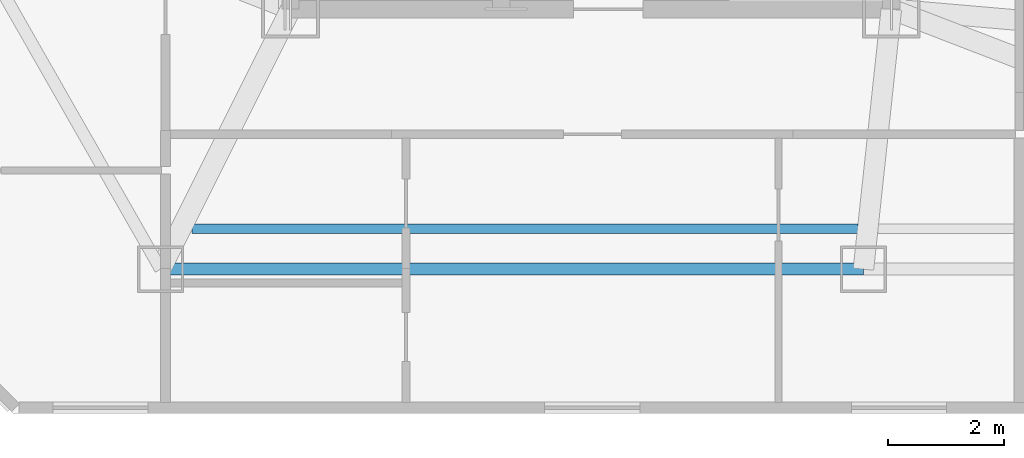
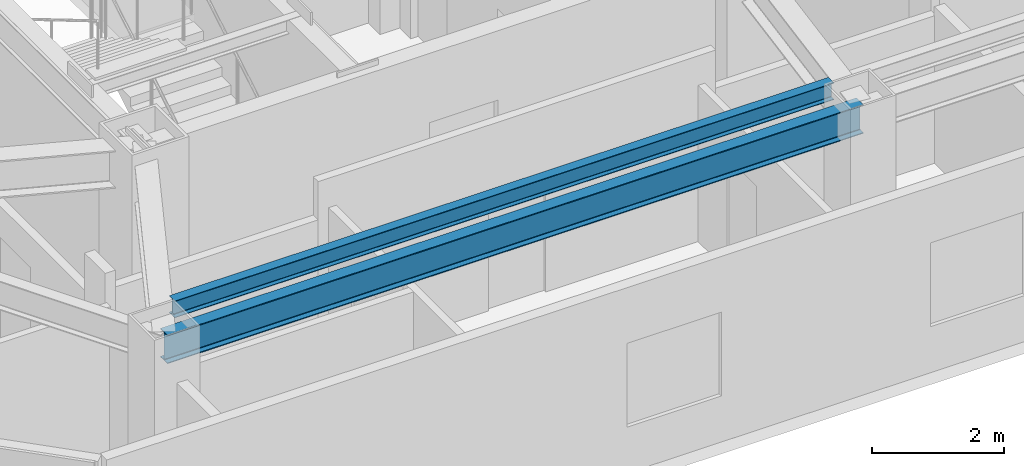
# One storey, part 3 of 14: 2 beams.
"""IFC4 building model written with IfcOpenShell, lengths in metres."""

import ifcopenshell
import ifcopenshell.guid

model = None  # the IFC model being written
_history = None  # IfcOwnerHistory: only IFC2X3 demands one
_inside = {}  # id of a spatial element -> (the spatial element, [elements in it])
_under = {}  # id of a project, library or spatial element -> (it, [spatial elements below it])
_declared = {}  # id of a project -> (the project, [libraries it declares])
_typed = {}  # id of a type object -> (the type object, [elements of that type])
_made_of = {}  # id of a material, layer set ... -> (it, [elements and type objects made of it])


def new_model(schema):
    """Start an empty IFC model of exactly this schema.

    Asked for "IFC4X3", IfcOpenShell would pick the latest addendum, in which some entities
    have other attributes; the version numbers below select the first issue.
    IFC2X3 requires an IfcOwnerHistory on every rooted entity: one is made here for all.
    """
    global model, _history
    if schema == "IFC4X3":
        model = ifcopenshell.file(schema_version=(4, 3, 0, 0))
    else:
        model = ifcopenshell.file(schema=schema)
    _inside.clear()
    _under.clear()
    _declared.clear()
    _typed.clear()
    _made_of.clear()
    _history = None
    if model.schema == "IFC2X3":
        org = make("IfcOrganization", Name="unknown")
        user = make(
            "IfcPersonAndOrganization",
            ThePerson=make("IfcPerson", FamilyName="unknown"),
            TheOrganization=org,
        )
        app = make(
            "IfcApplication",
            ApplicationDeveloper=org,
            Version="unknown",
            ApplicationFullName="unknown",
            ApplicationIdentifier="unknown",
        )
        _history = make(
            "IfcOwnerHistory",
            OwningUser=user,
            OwningApplication=app,
            ChangeAction="ADDED",
            CreationDate=0,
        )
    return model


def make(cls, **values):
    """One entity of the class cls with the attributes given. An attribute that is None is left unset."""
    return model.create_entity(
        cls, **{name: value for name, value in values.items() if value is not None}
    )


def rooted(cls, **values):
    """An entity with a GlobalId (a new one), such as an element, a storey or a relation."""
    return make(cls, GlobalId=ifcopenshell.guid.new(), OwnerHistory=_history, **values)


def si_unit(unit_type, name, prefix=None):
    """IfcSIUnit, for example si_unit("LENGTHUNIT", "METRE", prefix="MILLI")."""
    return make("IfcSIUnit", UnitType=unit_type, Prefix=prefix, Name=name)


def assignment(units):
    """IfcUnitAssignment: the units of a project."""
    return None if units is None else make("IfcUnitAssignment", Units=units)


def point(xyz):
    """IfcCartesianPoint."""
    return None if xyz is None else make("IfcCartesianPoint", Coordinates=xyz)


def direction(xyz):
    """IfcDirection."""
    return None if xyz is None else make("IfcDirection", DirectionRatios=xyz)


def frame(location, z_axis=None, x_axis=None):
    """IfcAxis2Placement3D, a coordinate frame: its origin and axes. An axis left out is left unset."""
    return make(
        "IfcAxis2Placement3D",
        Location=point(location),
        Axis=direction(z_axis),
        RefDirection=direction(x_axis),
    )


def frame_2d(location, x_axis=None):
    """IfcAxis2Placement2D, a coordinate frame in the plane: its origin and x axis."""
    return make(
        "IfcAxis2Placement2D", Location=point(location), RefDirection=direction(x_axis)
    )


def origin():
    """The frame at (0, 0, 0) with its axes left unset."""
    return frame((0.0, 0.0, 0.0))


def origin_2d():
    """The frame at (0, 0) in the plane with its x axis left unset."""
    return frame_2d((0.0, 0.0))


def place(relative_to, where):
    """IfcLocalPlacement: puts the frame where relative to a parent placement (None: the world)."""
    return make(
        "IfcLocalPlacement", PlacementRelTo=relative_to, RelativePlacement=where
    )


def context(
    kind, dimensions, precision=None, world=None, true_north=None, identifier=None
):
    """IfcGeometricRepresentationContext, for example the 3D "Model" context."""
    return make(
        "IfcGeometricRepresentationContext",
        ContextIdentifier=identifier,
        ContextType=kind,
        CoordinateSpaceDimension=dimensions,
        Precision=precision,
        WorldCoordinateSystem=world,
        TrueNorth=true_north,
    )


def subcontext(parent, identifier, kind, view, scale=None):
    """IfcGeometricRepresentationSubContext, for example "Body" below "Model"."""
    return make(
        "IfcGeometricRepresentationSubContext",
        ContextIdentifier=identifier,
        ContextType=kind,
        ParentContext=parent,
        TargetScale=scale,
        TargetView=view,
    )


def project(units=None, contexts=None):
    """IfcProject with its units and contexts."""
    return rooted(
        "IfcProject",
        Name="project",
        RepresentationContexts=contexts,
        UnitsInContext=assignment(units),
    )


def spatial(cls, under=None, at=None, **own):
    """A site, building, storey or space (cls), placed at a placement, below another one or the project."""
    s = rooted(cls, ObjectPlacement=at, **own)
    if under is not None:
        _under.setdefault(under.id(), (under, []))[1].append(s)
    return s


def profile(cls, at=None, kind="AREA", **sizes):
    """A parametric profile (cls). Its sizes go by their IFC names, for example OverallWidth=200.0."""
    return make(cls, ProfileType=kind, Position=at, **sizes)


def i_section(**sizes):
    """IfcIShapeProfileDef."""
    return profile("IfcIShapeProfileDef", **sizes)


def extrude(swept, where, along, depth):
    """IfcExtrudedAreaSolid: the profile swept, set in the frame where, extruded along a direction by depth."""
    return make(
        "IfcExtrudedAreaSolid",
        SweptArea=swept,
        Position=where,
        ExtrudedDirection=direction(along),
        Depth=depth,
    )


def shape(context_of_items, identifier, shape_type, items):
    """IfcShapeRepresentation: the items that make up one representation, for example the "Body"."""
    return make(
        "IfcShapeRepresentation",
        ContextOfItems=context_of_items,
        RepresentationIdentifier=identifier,
        RepresentationType=shape_type,
        Items=items,
    )


def material(Name=None, Category=None):
    """IfcMaterial."""
    return make("IfcMaterial", Name=Name, Category=Category)


def material_profile(
    of_material, cross_section, Name=None, Category=None, Priority=None
):
    """IfcMaterialProfile: a cross section and its material."""
    return make(
        "IfcMaterialProfile",
        Name=Name,
        Material=of_material,
        Profile=cross_section,
        Priority=Priority,
        Category=Category,
    )


def profile_set(profiles, Name=None, composite=None):
    """IfcMaterialProfileSet."""
    return make(
        "IfcMaterialProfileSet",
        Name=Name,
        MaterialProfiles=profiles,
        CompositeProfile=composite,
    )


def made_of(thing, what):
    """Note that an element or type object is made of a material, layer set ...; save() writes the relation."""
    if what is not None:
        _made_of.setdefault(what.id(), (what, []))[1].append(thing)
    return thing


def type_object(cls, material=None, **own):
    """A type object (cls), such as IfcWallType, which elements share."""
    return made_of(rooted(cls, **own), material)


def element(
    cls,
    number,
    at=None,
    inside=None,
    cuts=None,
    type_object=None,
    material=None,
    context=None,
    identifier="Body",
    shape_type=None,
    held_by="IfcProductDefinitionShape",
    body=None,
    shapes=None,
    **own,
):
    """One element of the class cls, such as IfcWall. Its Tag is "e" and its number.

    at: its placement. inside: the storey or other place that contains it. cuts: it is an
    opening in that element (IfcRelVoidsElement). A single representation is given by context,
    identifier, shape_type and body (its items); several are given by shapes. held_by: the class
    of the entity that holds the representations. save() writes the other relations.
    """
    e = rooted(cls, Tag="e%d" % number, ObjectPlacement=at, **own)
    if body is not None:
        shapes = [shape(context, identifier, shape_type, body)]
    if shapes is not None:
        e.Representation = make(held_by, Representations=shapes)
    if inside is not None:
        _inside.setdefault(inside.id(), (inside, []))[1].append(e)
    if cuts is not None:
        rooted(
            "IfcRelVoidsElement", RelatingBuildingElement=cuts, RelatedOpeningElement=e
        )
    if type_object is not None:
        _typed.setdefault(type_object.id(), (type_object, []))[1].append(e)
    return made_of(e, material)


def aggregate(whole, parts):
    """IfcRelAggregates: a whole, such as a stair, and the parts it consists of."""
    return rooted("IfcRelAggregates", RelatingObject=whole, RelatedObjects=parts)


def save(model, path):
    """Write the relations noted so far, then the file.

    IfcRelAggregates (storeys below a building ...), IfcRelContainedInSpatialStructure (elements
    in a storey), IfcRelDefinesByType, IfcRelAssociatesMaterial and IfcRelDeclares: one each for
    every whole, place, type object, material and project.
    """
    for whole, parts in _under.values():
        aggregate(whole, parts)
    for where, things in _inside.values():
        rooted(
            "IfcRelContainedInSpatialStructure",
            RelatedElements=things,
            RelatingStructure=where,
        )
    for kind, things in _typed.values():
        rooted("IfcRelDefinesByType", RelatedObjects=things, RelatingType=kind)
    for what, things in _made_of.values():
        rooted("IfcRelAssociatesMaterial", RelatedObjects=things, RelatingMaterial=what)
    for by, libraries in _declared.values():
        rooted("IfcRelDeclares", RelatingContext=by, RelatedDefinitions=libraries)
    model.write(path)


model = new_model("IFC4")

# Units and contexts
model_context = context("Model", 3, precision=1e-05, world=origin(), true_north=direction((0.0, 1.0)))
body_context = subcontext(model_context, "Body", "Model", "MODEL_VIEW")
ifc_project = project(units=[si_unit("LENGTHUNIT", "METRE"), si_unit("AREAUNIT", "SQUARE_METRE"), si_unit("VOLUMEUNIT", "CUBIC_METRE"), si_unit("PLANEANGLEUNIT", "RADIAN"), si_unit("MASSUNIT", "GRAM", prefix="KILO")], contexts=[model_context])

# Site, building, storey
site_placement = place(None, origin())
site = spatial("IfcSite", under=ifc_project, at=site_placement, CompositionType="ELEMENT")
building_placement = place(site_placement, origin())
building = spatial("IfcBuilding", under=site, at=building_placement, Name="Khamvora Tower", CompositionType="ELEMENT")
storey_placement = place(building_placement, frame((0.0, 0.0, 242.75)))
storey = spatial("IfcBuildingStorey", under=building, at=storey_placement, Name="L62", CompositionType="ELEMENT", Elevation=242.75)

# Beams
ifc_material = material(Name="Steel S355", Category="steel")
ifc_material_profile_1 = material_profile(ifc_material, i_section(OverallWidth=0.166015625, OverallDepth=0.31298828125, WebThickness=0.007080078125, FlangeThickness=0.010986328125, FilletRadius=0.010009765625, at=origin_2d()), Name="W310x45")
ifc_profile_set_1 = profile_set([ifc_material_profile_1], Name="Steel S355")
beam_type_1 = type_object("IfcBeamType", Name="BM-JS-W310x45", PredefinedType="JOIST", material=ifc_profile_set_1)
beam_1_placement = place(storey_placement, frame((27.29296875, 15.199951171875, 3.27392578125), z_axis=(1.0, 0.0, 0.0), x_axis=(0.0, 1.0, 0.0)))
element("IfcBeam", 1, at=beam_1_placement, inside=storey, type_object=beam_type_1, Name="L62 secondary floor joist 01", PredefinedType="JOIST", context=body_context, shape_type="SweptSolid", body=[
    extrude(i_section(OverallWidth=0.166015625, OverallDepth=0.31298828125, WebThickness=0.007080078125, FlangeThickness=0.010986328125, FilletRadius=0.010009765625, at=origin_2d()), origin(), (0.0, 0.0, 1.0), 11.526123046875),
])
ifc_material_profile_2 = material_profile(ifc_material, i_section(OverallWidth=0.208984375, OverallDepth=0.532958984375, WebThickness=0.010009765625, FlangeThickness=0.01611328125, FilletRadius=0.013916015625, at=origin_2d()), Name="W530x92")
ifc_profile_set_2 = profile_set([ifc_material_profile_2], Name="Steel S355")
beam_type_2 = type_object("IfcBeamType", Name="BM-SP-W530x92", PredefinedType="SPANDREL", material=ifc_profile_set_2)
beam_2_placement = place(storey_placement, frame((26.75, 14.5, 3.1630859375), z_axis=(1.0, 0.0, 0.0), x_axis=(0.0, 1.0, 0.0)))
element("IfcBeam", 2, at=beam_2_placement, inside=storey, type_object=beam_type_2, Name="L62 perimeter spandrel beam S1-S2", PredefinedType="SPANDREL", context=body_context, shape_type="SweptSolid", body=[
    extrude(i_section(OverallWidth=0.208984375, OverallDepth=0.532958984375, WebThickness=0.010009765625, FlangeThickness=0.01611328125, FilletRadius=0.013916015625, at=origin_2d()), origin(), (0.0, 0.0, 1.0), 12.1669921875),
])

save(model, "model.ifc")
